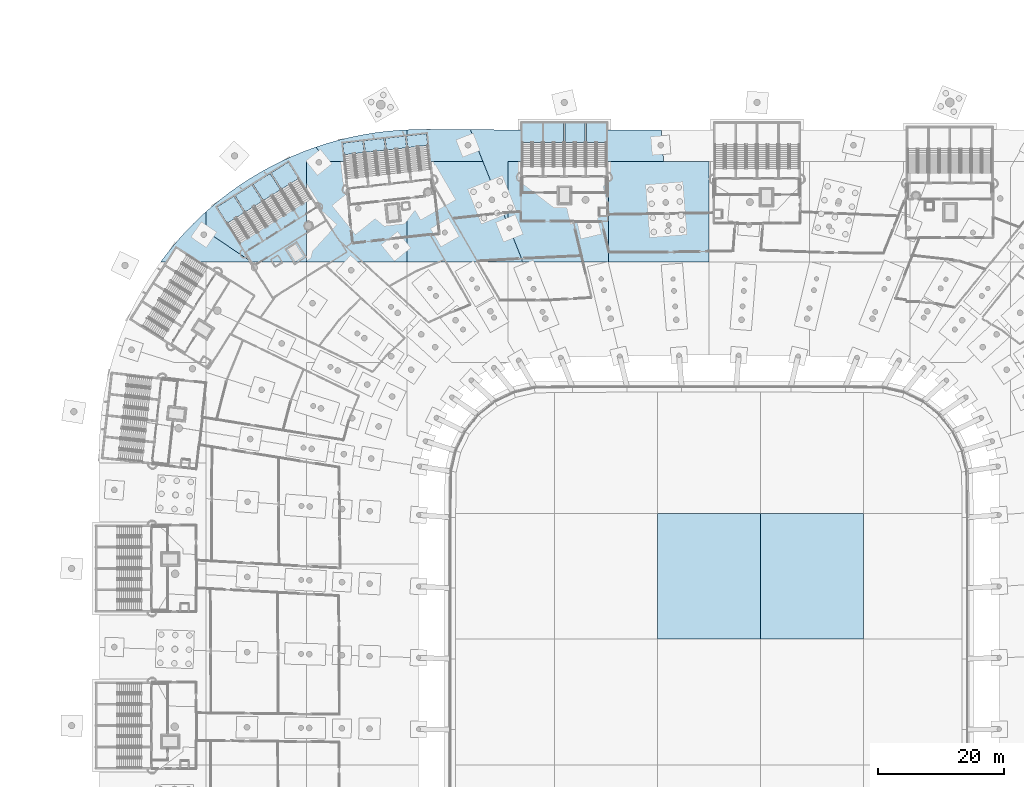
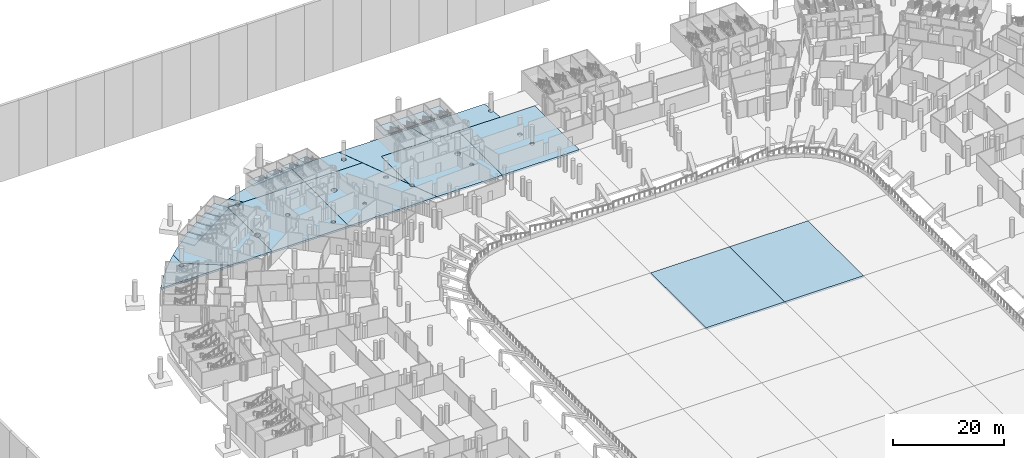
# One storey, part 29 of 142: 24 slabs, 12 elements without a shape of their own.
"""IFC4 building model written with IfcOpenShell, lengths in metres."""

from ifc_helpers import new_model, si_unit, direction, frame, origin, place, context, subcontext, project, spatial, polyline, outline, extrude, material, layer, layer_set, type_object, element, aggregate, save


model = new_model("IFC4")

# Units and contexts
model_context = context("Model", 3, precision=1e-05, world=origin(), true_north=direction((0.0, 1.0)))
body_context = subcontext(model_context, "Body", "Model", "MODEL_VIEW")
ifc_project = project(units=[si_unit("LENGTHUNIT", "METRE"), si_unit("AREAUNIT", "SQUARE_METRE"), si_unit("VOLUMEUNIT", "CUBIC_METRE"), si_unit("PLANEANGLEUNIT", "RADIAN"), si_unit("MASSUNIT", "GRAM", prefix="KILO")], contexts=[model_context])

# Site, building, storey
site_placement = place(None, origin())
site = spatial("IfcSite", under=ifc_project, at=site_placement, CompositionType="ELEMENT")
building_placement = place(site_placement, origin())
building = spatial("IfcBuilding", under=site, at=building_placement, Name="Meseta Stadium", CompositionType="ELEMENT")
storey_placement = place(building_placement, frame((0.0, 0.0, -4.0)))
storey = spatial("IfcBuildingStorey", under=building, at=storey_placement, Name="B1", CompositionType="ELEMENT", Elevation=-4.0)

# Slabs
ifc_material_1 = material(Name="Concrete C30/37", Category="concrete")
ifc_layer_1 = layer(ifc_material_1, 0.39990234375)
ifc_layer_set_1 = layer_set([ifc_layer_1], Name="Base slab 400")
slab_type_1 = type_object("IfcSlabType", Name="Base slab 400", PredefinedType="BASESLAB", material=ifc_layer_set_1)
slab_1_placement = place(storey_placement, frame((0.0, 0.0, -0.39990234375)))
element("IfcSlab", 1, at=slab_1_placement, inside=storey, type_object=slab_type_1, Name="Base slab B1 sector 14 panel 01", PredefinedType="BASESLAB", context=body_context, shape_type="SweptSolid", body=[
    extrude(outline(polyline([(-32.0, 101.0517578125), (-37.95361328125, 101.070556640625), (-32.0, 86.06689453125), (-32.0, 96.0), (-21.5712890625, 96.0), (-22.768310546875, 101.027099609375), (-32.0, 101.0517578125)])), origin(), (0.0, 0.0, 1.0), 0.39990234375),
])
slab_2_placement = place(storey_placement, frame((0.0, 0.0, -0.39990234375)))
element("IfcSlab", 2, at=slab_2_placement, inside=storey, type_object=slab_type_1, Name="Base slab B1 sector 14 panel 02", PredefinedType="BASESLAB", context=body_context, shape_type="SweptSolid", body=[
    extrude(outline(polyline([(-31.402587890625, 85.153564453125), (-31.45263671875, 85.092529296875), (-31.513427734375, 85.04248046875), (-31.57958984375, 85.00732421875), (-29.59228515625, 80.0), (-16.0, 80.0), (-16.0, 96.0), (-32.0, 96.0), (-32.0, 86.06689453125), (-31.875244140625, 85.752685546875), (-31.815185546875, 85.77099609375), (-31.73681640625, 85.77880859375), (-31.658447265625, 85.77099609375), (-31.5830078125, 85.748291015625), (-31.513427734375, 85.7109375), (-31.45263671875, 85.660888671875), (-31.402587890625, 85.60009765625), (-31.365478515625, 85.530517578125), (-31.342529296875, 85.455078125), (-31.3349609375, 85.376708984375), (-31.342529296875, 85.29833984375), (-31.365478515625, 85.222900390625), (-31.402587890625, 85.153564453125)]), holes=[polyline([(-20.18017578125, 89.90380859375), (-20.16943359375, 90.01171875), (-20.13818359375, 90.115234375), (-20.0869140625, 90.210693359375), (-20.018310546875, 90.29443359375), (-19.9345703125, 90.36328125), (-19.839111328125, 90.414306640625), (-19.7353515625, 90.44580078125), (-19.62744140625, 90.456298828125), (-19.519775390625, 90.44580078125), (-19.416015625, 90.414306640625), (-19.320556640625, 90.36328125), (-19.23681640625, 90.29443359375), (-19.16796875, 90.210693359375), (-19.116943359375, 90.115234375), (-19.08544921875, 90.01171875), (-19.07470703125, 89.90380859375), (-19.08544921875, 89.7958984375), (-19.116943359375, 89.692138671875), (-19.16796875, 89.5966796875), (-19.23681640625, 89.512939453125), (-19.320556640625, 89.444091796875), (-19.416015625, 89.393310546875), (-19.519775390625, 89.36181640625), (-19.62744140625, 89.35107421875), (-19.7353515625, 89.36181640625), (-19.839111328125, 89.393310546875), (-19.9345703125, 89.444091796875), (-20.018310546875, 89.512939453125), (-20.0869140625, 89.5966796875), (-20.13818359375, 89.692138671875), (-20.16943359375, 89.7958984375), (-20.18017578125, 89.90380859375)]), polyline([(-19.341796875, 86.032470703125), (-19.2724609375, 86.069580078125), (-19.197021484375, 86.09228515625), (-19.11865234375, 86.10009765625), (-19.040283203125, 86.09228515625), (-18.96484375, 86.069580078125), (-18.895263671875, 86.032470703125), (-18.83447265625, 85.982421875), (-18.784423828125, 85.92138671875), (-18.747314453125, 85.85205078125), (-18.724365234375, 85.776611328125), (-18.716796875, 85.6982421875), (-18.724365234375, 85.619873046875), (-18.747314453125, 85.54443359375), (-18.784423828125, 85.474853515625), (-18.83447265625, 85.4140625), (-18.895263671875, 85.364013671875), (-18.96484375, 85.326904296875), (-19.040283203125, 85.303955078125), (-19.11865234375, 85.29638671875), (-19.197021484375, 85.303955078125), (-19.2724609375, 85.326904296875), (-19.341796875, 85.364013671875), (-19.40283203125, 85.4140625), (-19.452880859375, 85.474853515625), (-19.489990234375, 85.54443359375), (-19.5126953125, 85.619873046875), (-19.5205078125, 85.6982421875), (-19.5126953125, 85.776611328125), (-19.489990234375, 85.85205078125), (-19.452880859375, 85.92138671875), (-19.40283203125, 85.982421875), (-19.341796875, 86.032470703125)])]), origin(), (0.0, 0.0, 1.0), 0.39990234375),
])
slab_3_placement = place(storey_placement, frame((0.0, 0.0, -0.39990234375)))
element("IfcSlab", 3, at=slab_3_placement, inside=storey, type_object=slab_type_1, Name="Base slab B1 sector 14 panel 04", PredefinedType="BASESLAB", context=body_context, shape_type="SweptSolid", body=[
    extrude(outline(polyline([(-22.768310546875, 101.027099609375), (-21.5712890625, 96.0), (-7.1904296875, 96.0), (-7.3701171875, 98.261474609375), (-7.41552734375, 98.22412109375), (-7.49365234375, 98.18212890625), (-7.57861328125, 98.156494140625), (-7.666748046875, 98.147705078125), (-7.7548828125, 98.156494140625), (-7.839599609375, 98.18212890625), (-7.91796875, 98.22412109375), (-7.986328125, 98.2802734375), (-8.04248046875, 98.348876953125), (-8.08447265625, 98.427001953125), (-8.110107421875, 98.51171875), (-8.118896484375, 98.60009765625), (-8.110107421875, 98.688232421875), (-8.08447265625, 98.77294921875), (-8.04248046875, 98.851318359375), (-7.986328125, 98.919677734375), (-7.91796875, 98.97607421875), (-7.839599609375, 99.017822265625), (-7.7548828125, 99.04345703125), (-7.666748046875, 99.05224609375), (-7.57861328125, 99.04345703125), (-7.49365234375, 99.017822265625), (-7.42724609375, 98.982177734375), (-7.58740234375, 101.003173828125), (-16.0, 101.013916015625), (-22.768310546875, 101.027099609375)])), origin(), (0.0, 0.0, 1.0), 0.39990234375),
])
slab_4_placement = place(storey_placement, frame((0.0, 0.0, -0.39990234375)))
element("IfcSlab", 4, at=slab_4_placement, inside=storey, type_object=slab_type_1, Name="Base slab B1 sector 14 panel 05", PredefinedType="BASESLAB", context=body_context, shape_type="SweptSolid", body=[
    extrude(outline(polyline([(-16.0, 96.0), (-16.0, 80.0), (0.0, 80.0), (0.0, 96.0), (-16.0, 96.0)]), holes=[polyline([(-6.67138671875, 86.160888671875), (-6.6103515625, 86.2109375), (-6.541015625, 86.248046875), (-6.465576171875, 86.27099609375), (-6.386962890625, 86.27880859375), (-6.30859375, 86.27099609375), (-6.233154296875, 86.248046875), (-6.163818359375, 86.2109375), (-6.102783203125, 86.160888671875), (-6.052734375, 86.10009765625), (-6.015625, 86.030517578125), (-5.992919921875, 85.955078125), (-5.985107421875, 85.876708984375), (-5.992919921875, 85.79833984375), (-6.015625, 85.722900390625), (-6.052734375, 85.6533203125), (-6.102783203125, 85.592529296875), (-6.163818359375, 85.54248046875), (-6.233154296875, 85.50537109375), (-6.30859375, 85.482421875), (-6.386962890625, 85.474853515625), (-6.465576171875, 85.482421875), (-6.541015625, 85.50537109375), (-6.6103515625, 85.54248046875), (-6.67138671875, 85.592529296875), (-6.72119140625, 85.6533203125), (-6.75830078125, 85.722900390625), (-6.78125, 85.79833984375), (-6.7890625, 85.876708984375), (-6.78125, 85.955078125), (-6.75830078125, 86.030517578125), (-6.72119140625, 86.10009765625), (-6.67138671875, 86.160888671875)]), polyline([(-6.87060546875, 89.969970703125), (-6.782470703125, 89.961181640625), (-6.69775390625, 89.935546875), (-6.619384765625, 89.893798828125), (-6.551025390625, 89.837646484375), (-6.494873046875, 89.76904296875), (-6.452880859375, 89.69091796875), (-6.42724609375, 89.606201171875), (-6.418701171875, 89.517822265625), (-6.42724609375, 89.4296875), (-6.452880859375, 89.3447265625), (-6.494873046875, 89.2666015625), (-6.551025390625, 89.197998046875), (-6.619384765625, 89.141845703125), (-6.69775390625, 89.10009765625), (-6.782470703125, 89.074462890625), (-6.87060546875, 89.065673828125), (-6.958984375, 89.074462890625), (-7.043701171875, 89.10009765625), (-7.121826171875, 89.141845703125), (-7.1904296875, 89.197998046875), (-7.24658203125, 89.2666015625), (-7.28857421875, 89.3447265625), (-7.314208984375, 89.4296875), (-7.322998046875, 89.517822265625), (-7.314208984375, 89.606201171875), (-7.28857421875, 89.69091796875), (-7.24658203125, 89.76904296875), (-7.1904296875, 89.837646484375), (-7.121826171875, 89.893798828125), (-7.043701171875, 89.935546875), (-6.958984375, 89.961181640625), (-6.87060546875, 89.969970703125)])]), origin(), (0.0, 0.0, 1.0), 0.39990234375),
])
slab_5_placement = place(storey_placement, frame((0.0, 0.0, -0.39990234375)))
element("IfcSlab", 5, at=slab_5_placement, inside=storey, type_object=slab_type_1, Name="Base slab B1 sector 21 panel 03", PredefinedType="BASESLAB", context=body_context, shape_type="SweptSolid", body=[
    extrude(outline(polyline([(-80.55419921875, 87.5390625), (-81.940673828125, 86.2099609375), (-83.276611328125, 84.829833984375), (-84.5595703125, 83.400390625), (-85.787841796875, 81.923828125), (-86.9599609375, 80.402099609375), (-87.246337890625, 80.0), (-72.741455078125, 80.0), (-80.0, 84.89990234375), (-80.0, 88.031494140625), (-80.55419921875, 87.5390625)]), holes=[polyline([(-80.1142578125, 84.741455078125), (-80.045654296875, 84.68505859375), (-79.989501953125, 84.61669921875), (-79.947509765625, 84.538330078125), (-79.921875, 84.45361328125), (-79.9130859375, 84.365478515625), (-79.921875, 84.277099609375), (-79.947509765625, 84.1923828125), (-79.989501953125, 84.1142578125), (-80.045654296875, 84.045654296875), (-80.1142578125, 83.989501953125), (-80.1923828125, 83.947509765625), (-80.277099609375, 83.921875), (-80.365478515625, 83.9130859375), (-80.45361328125, 83.921875), (-80.538330078125, 83.947509765625), (-80.61669921875, 83.989501953125), (-80.68505859375, 84.045654296875), (-80.741455078125, 84.1142578125), (-80.783203125, 84.1923828125), (-80.808837890625, 84.277099609375), (-80.817626953125, 84.365478515625), (-80.808837890625, 84.45361328125), (-80.783203125, 84.538330078125), (-80.741455078125, 84.61669921875), (-80.68505859375, 84.68505859375), (-80.61669921875, 84.741455078125), (-80.538330078125, 84.783203125), (-80.45361328125, 84.808837890625), (-80.365478515625, 84.817626953125), (-80.277099609375, 84.808837890625), (-80.1923828125, 84.783203125), (-80.1142578125, 84.741455078125)])]), origin(), (0.0, 0.0, 1.0), 0.39990234375),
])
slab_6_placement = place(storey_placement, frame((0.0, 0.0, -0.39990234375)))
element("IfcSlab", 6, at=slab_6_placement, inside=storey, type_object=slab_type_1, Name="Base slab B1 sector 21 panel 07", PredefinedType="BASESLAB", context=body_context, shape_type="SweptSolid", body=[
    extrude(outline(polyline([(-67.876953125, 96.121826171875), (-69.594970703125, 95.262939453125), (-71.279296875, 94.340087890625), (-72.927978515625, 93.3544921875), (-74.53857421875, 92.3076171875), (-76.108642578125, 91.201171875), (-77.635986328125, 90.036376953125), (-79.118408203125, 88.815185546875), (-80.0, 88.031494140625), (-80.0, 84.89990234375), (-72.741455078125, 80.0), (-64.0, 80.0), (-64.0, 85.234130859375), (-64.066162109375, 85.26953125), (-64.157470703125, 85.344482421875), (-64.232421875, 85.43603515625), (-64.2880859375, 85.540283203125), (-64.322509765625, 85.6533203125), (-64.333984375, 85.77099609375), (-64.322509765625, 85.888427734375), (-64.2880859375, 86.001708984375), (-64.232421875, 86.10595703125), (-64.157470703125, 86.197265625), (-64.066162109375, 86.272216796875), (-64.0, 86.3076171875), (-64.0, 96.0), (-62.483154296875, 96.0), (-62.46923828125, 96.0458984375), (-62.427490234375, 96.123779296875), (-62.371337890625, 96.1923828125), (-62.302734375, 96.248779296875), (-62.224609375, 96.29052734375), (-62.139892578125, 96.316162109375), (-62.051513671875, 96.324951171875), (-61.96337890625, 96.316162109375), (-61.87841796875, 96.29052734375), (-61.80029296875, 96.248779296875), (-61.731689453125, 96.1923828125), (-61.675537109375, 96.123779296875), (-61.6337890625, 96.0458984375), (-61.619873046875, 96.0), (-60.687255859375, 96.0), (-62.54638671875, 98.3037109375), (-64.35009765625, 97.643310546875), (-66.127685546875, 96.915771484375), (-67.876953125, 96.121826171875)])), origin(), (0.0, 0.0, 1.0), 0.39990234375),
])
slab_7_placement = place(storey_placement, frame((0.0, 0.0, -0.39990234375)))
element("IfcSlab", 7, at=slab_7_placement, inside=storey, type_object=slab_type_1, Name="Base slab B1 sector 21 panel 08", PredefinedType="BASESLAB", context=body_context, shape_type="SweptSolid", body=[
    extrude(outline(polyline([(-63.613525390625, 85.1796875), (-63.731201171875, 85.16796875), (-63.848876953125, 85.1796875), (-63.9619140625, 85.2138671875), (-64.0, 85.234130859375), (-64.0, 80.0), (-48.0, 80.0), (-48.0, 96.0), (-61.619873046875, 96.0), (-61.608154296875, 95.9609375), (-61.599365234375, 95.872802734375), (-61.608154296875, 95.784423828125), (-61.6337890625, 95.69970703125), (-61.675537109375, 95.62158203125), (-61.731689453125, 95.552978515625), (-61.80029296875, 95.496826171875), (-61.87841796875, 95.455078125), (-61.96337890625, 95.42919921875), (-62.051513671875, 95.420654296875), (-62.139892578125, 95.42919921875), (-62.224609375, 95.455078125), (-62.302734375, 95.496826171875), (-62.371337890625, 95.552978515625), (-62.427490234375, 95.62158203125), (-62.46923828125, 95.69970703125), (-62.4951171875, 95.784423828125), (-62.503662109375, 95.872802734375), (-62.4951171875, 95.9609375), (-62.483154296875, 96.0), (-64.0, 96.0), (-64.0, 86.3076171875), (-63.9619140625, 86.327880859375), (-63.848876953125, 86.3623046875), (-63.731201171875, 86.373779296875), (-63.613525390625, 86.3623046875), (-63.50048828125, 86.327880859375), (-63.396240234375, 86.272216796875), (-63.304931640625, 86.197265625), (-63.22998046875, 86.10595703125), (-63.17431640625, 86.001708984375), (-63.139892578125, 85.888427734375), (-63.12841796875, 85.77099609375), (-63.139892578125, 85.6533203125), (-63.17431640625, 85.540283203125), (-63.22998046875, 85.43603515625), (-63.304931640625, 85.344482421875), (-63.396240234375, 85.26953125), (-63.50048828125, 85.2138671875), (-63.613525390625, 85.1796875)]), holes=[polyline([(-50.185302734375, 82.5771484375), (-50.16259765625, 82.652587890625), (-50.125244140625, 82.72216796875), (-50.0751953125, 82.782958984375), (-50.014404296875, 82.8330078125), (-49.945068359375, 82.8701171875), (-49.86962890625, 82.89306640625), (-49.791015625, 82.900634765625), (-49.712646484375, 82.89306640625), (-49.63720703125, 82.8701171875), (-49.56787109375, 82.8330078125), (-49.5068359375, 82.782958984375), (-49.456787109375, 82.72216796875), (-49.419921875, 82.652587890625), (-49.39697265625, 82.5771484375), (-49.38916015625, 82.498779296875), (-49.39697265625, 82.42041015625), (-49.419921875, 82.344970703125), (-49.456787109375, 82.275390625), (-49.5068359375, 82.214599609375), (-49.56787109375, 82.16455078125), (-49.63720703125, 82.12744140625), (-49.712646484375, 82.1044921875), (-49.791015625, 82.096923828125), (-49.86962890625, 82.1044921875), (-49.945068359375, 82.12744140625), (-50.014404296875, 82.16455078125), (-50.0751953125, 82.214599609375), (-50.125244140625, 82.275390625), (-50.16259765625, 82.344970703125), (-50.185302734375, 82.42041015625), (-50.193115234375, 82.498779296875), (-50.185302734375, 82.5771484375)]), polyline([(-55.347412109375, 88.541748046875), (-55.35595703125, 88.45361328125), (-55.381591796875, 88.36865234375), (-55.423583984375, 88.29052734375), (-55.479736328125, 88.221923828125), (-55.54833984375, 88.165771484375), (-55.62646484375, 88.1240234375), (-55.711181640625, 88.098388671875), (-55.799560546875, 88.089599609375), (-55.8876953125, 88.098388671875), (-55.972412109375, 88.1240234375), (-56.05078125, 88.165771484375), (-56.119140625, 88.221923828125), (-56.175537109375, 88.29052734375), (-56.21728515625, 88.36865234375), (-56.242919921875, 88.45361328125), (-56.251708984375, 88.541748046875), (-56.242919921875, 88.6298828125), (-56.21728515625, 88.71484375), (-56.175537109375, 88.79296875), (-56.119140625, 88.861572265625), (-56.05078125, 88.917724609375), (-55.972412109375, 88.95947265625), (-55.8876953125, 88.985107421875), (-55.799560546875, 88.993896484375), (-55.711181640625, 88.985107421875), (-55.62646484375, 88.95947265625), (-55.54833984375, 88.917724609375), (-55.479736328125, 88.861572265625), (-55.423583984375, 88.79296875), (-55.381591796875, 88.71484375), (-55.35595703125, 88.6298828125), (-55.347412109375, 88.541748046875)])]), origin(), (0.0, 0.0, 1.0), 0.39990234375),
])
slab_8_placement = place(storey_placement, frame((0.0, 0.0, -0.39990234375)))
element("IfcSlab", 8, at=slab_8_placement, inside=storey, type_object=slab_type_1, Name="Base slab B1 sector 21 panel 11", PredefinedType="BASESLAB", context=body_context, shape_type="SweptSolid", body=[
    extrude(outline(polyline([(-55.122314453125, 100.2548828125), (-57.004638671875, 99.872314453125), (-58.87109375, 99.4189453125), (-60.71923828125, 98.89599609375), (-62.54638671875, 98.3037109375), (-60.687255859375, 96.0), (-48.0, 96.0), (-48.0, 101.046875), (-49.408447265625, 100.975830078125), (-51.32177734375, 100.807373046875), (-53.227294921875, 100.56689453125), (-55.122314453125, 100.2548828125)])), origin(), (0.0, 0.0, 1.0), 0.39990234375),
])
slab_9_placement = place(storey_placement, frame((0.0, 0.0, -0.39990234375)))
element("IfcSlab", 9, at=slab_9_placement, inside=storey, type_object=slab_type_1, Name="Base slab B1 sector 21 panel 13", PredefinedType="BASESLAB", context=body_context, shape_type="SweptSolid", body=[
    extrude(outline(polyline([(-45.570068359375, 101.09716796875), (-47.490478515625, 101.072509765625), (-48.0, 101.046875), (-48.0, 96.0), (-35.963134765625, 96.0), (-37.975341796875, 101.070556640625), (-45.570068359375, 101.09716796875)]), holes=[polyline([(-38.160400390625, 98.18212890625), (-38.2451171875, 98.156494140625), (-38.333251953125, 98.147705078125), (-38.42138671875, 98.156494140625), (-38.50634765625, 98.18212890625), (-38.58447265625, 98.22412109375), (-38.653076171875, 98.2802734375), (-38.709228515625, 98.348876953125), (-38.751220703125, 98.427001953125), (-38.77685546875, 98.51171875), (-38.785400390625, 98.60009765625), (-38.77685546875, 98.688232421875), (-38.751220703125, 98.77294921875), (-38.709228515625, 98.851318359375), (-38.653076171875, 98.919677734375), (-38.58447265625, 98.97607421875), (-38.50634765625, 99.017822265625), (-38.42138671875, 99.04345703125), (-38.333251953125, 99.05224609375), (-38.2451171875, 99.04345703125), (-38.160400390625, 99.017822265625), (-38.08203125, 98.97607421875), (-38.013671875, 98.919677734375), (-37.95751953125, 98.851318359375), (-37.91552734375, 98.77294921875), (-37.889892578125, 98.688232421875), (-37.881103515625, 98.60009765625), (-37.889892578125, 98.51171875), (-37.91552734375, 98.427001953125), (-37.95751953125, 98.348876953125), (-38.013671875, 98.2802734375), (-38.08203125, 98.22412109375), (-38.160400390625, 98.18212890625)])]), origin(), (0.0, 0.0, 1.0), 0.39990234375),
])
slab_10_placement = place(storey_placement, frame((0.0, 0.0, -0.39990234375)))
element("IfcSlab", 10, at=slab_10_placement, inside=storey, type_object=slab_type_1, Name="Base slab B1 sector 21 panel 14", PredefinedType="BASESLAB", context=body_context, shape_type="SweptSolid", body=[
    extrude(outline(polyline([(-32.02099609375, 85.660888671875), (-31.960205078125, 85.7109375), (-31.894287109375, 85.746337890625), (-35.963134765625, 96.0), (-48.0, 96.0), (-48.0, 80.0), (-29.614013671875, 80.0), (-31.598388671875, 85.000732421875), (-31.658447265625, 84.982666015625), (-31.73681640625, 84.974853515625), (-31.815185546875, 84.982666015625), (-31.890625, 85.005615234375), (-31.960205078125, 85.04248046875), (-32.02099609375, 85.092529296875), (-32.071044921875, 85.153564453125), (-32.108154296875, 85.222900390625), (-32.131103515625, 85.29833984375), (-32.138916015625, 85.376708984375), (-32.131103515625, 85.455078125), (-32.108154296875, 85.530517578125), (-32.071044921875, 85.60009765625), (-32.02099609375, 85.660888671875)]), holes=[polyline([(-42.41748046875, 84.707275390625), (-42.40966796875, 84.785888671875), (-42.386962890625, 84.861083984375), (-42.349609375, 84.9306640625), (-42.2998046875, 84.99169921875), (-42.23876953125, 85.04150390625), (-42.169189453125, 85.07861328125), (-42.093994140625, 85.1015625), (-42.015380859375, 85.109375), (-41.93701171875, 85.1015625), (-41.86181640625, 85.07861328125), (-41.792236328125, 85.04150390625), (-41.731201171875, 84.99169921875), (-41.681396484375, 84.9306640625), (-41.644287109375, 84.861083984375), (-41.621337890625, 84.785888671875), (-41.613525390625, 84.707275390625), (-41.621337890625, 84.62890625), (-41.644287109375, 84.553466796875), (-41.681396484375, 84.48388671875), (-41.731201171875, 84.423095703125), (-41.792236328125, 84.373046875), (-41.86181640625, 84.3359375), (-41.93701171875, 84.31298828125), (-42.015380859375, 84.305419921875), (-42.093994140625, 84.31298828125), (-42.169189453125, 84.3359375), (-42.23876953125, 84.373046875), (-42.2998046875, 84.423095703125), (-42.349609375, 84.48388671875), (-42.386962890625, 84.553466796875), (-42.40966796875, 84.62890625), (-42.41748046875, 84.707275390625)]), polyline([(-34.087158203125, 90.0), (-34.07861328125, 89.911865234375), (-34.087158203125, 89.82373046875), (-34.11279296875, 89.73876953125), (-34.15478515625, 89.66064453125), (-34.2109375, 89.59228515625), (-34.279541015625, 89.535888671875), (-34.357666015625, 89.494140625), (-34.4423828125, 89.468505859375), (-34.53076171875, 89.459716796875), (-34.618896484375, 89.468505859375), (-34.70361328125, 89.494140625), (-34.781982421875, 89.535888671875), (-34.850341796875, 89.59228515625), (-34.90673828125, 89.66064453125), (-34.948486328125, 89.73876953125), (-34.97412109375, 89.82373046875), (-34.98291015625, 89.911865234375), (-34.97412109375, 90.0), (-34.948486328125, 90.0849609375), (-34.90673828125, 90.1630859375), (-34.850341796875, 90.231689453125), (-34.781982421875, 90.287841796875), (-34.70361328125, 90.32958984375), (-34.618896484375, 90.35546875), (-34.53076171875, 90.364013671875), (-34.4423828125, 90.35546875), (-34.357666015625, 90.32958984375), (-34.279541015625, 90.287841796875), (-34.2109375, 90.231689453125), (-34.15478515625, 90.1630859375), (-34.11279296875, 90.0849609375), (-34.087158203125, 90.0)]), polyline([(-44.1298828125, 91.0908203125), (-44.140380859375, 90.983154296875), (-44.171875, 90.87939453125), (-44.222900390625, 90.78369140625), (-44.291748046875, 90.7001953125), (-44.37548828125, 90.63134765625), (-44.470947265625, 90.580322265625), (-44.57470703125, 90.548828125), (-44.6826171875, 90.5380859375), (-44.790283203125, 90.548828125), (-44.89404296875, 90.580322265625), (-44.989501953125, 90.63134765625), (-45.0732421875, 90.7001953125), (-45.14208984375, 90.78369140625), (-45.193115234375, 90.87939453125), (-45.224609375, 90.983154296875), (-45.235107421875, 91.0908203125), (-45.224609375, 91.19873046875), (-45.193115234375, 91.302490234375), (-45.14208984375, 91.39794921875), (-45.0732421875, 91.481689453125), (-44.989501953125, 91.55029296875), (-44.89404296875, 91.6015625), (-44.790283203125, 91.6328125), (-44.6826171875, 91.6435546875), (-44.57470703125, 91.6328125), (-44.470947265625, 91.6015625), (-44.37548828125, 91.55029296875), (-44.291748046875, 91.481689453125), (-44.222900390625, 91.39794921875), (-44.171875, 91.302490234375), (-44.140380859375, 91.19873046875), (-44.1298828125, 91.0908203125)])]), origin(), (0.0, 0.0, 1.0), 0.39990234375),
])
ifc_material_2 = material(Name="Natural turf on sand and drainage layers")
ifc_layer_2 = layer(ifc_material_2, 0.39990234375)
ifc_layer_set_2 = layer_set([ifc_layer_2], Name="Pitch turf 400")
slab_type_2 = type_object("IfcSlabType", Name="Pitch turf 400", PredefinedType="BASESLAB", material=ifc_layer_set_2)
slab_11_placement = place(storey_placement, frame((0.0, 0.0, -0.39990234375)))
element("IfcSlab", 11, at=slab_11_placement, inside=storey, type_object=slab_type_2, Name="Playing pitch module 23", PredefinedType="BASESLAB", context=body_context, shape_type="SweptSolid", body=[
    extrude(outline(polyline([(8.196044921875, 19.993408203125), (8.196044921875, 39.98681640625), (-8.196044921875, 39.98681640625), (-8.196044921875, 19.993408203125), (8.196044921875, 19.993408203125)])), origin(), (0.0, 0.0, 1.0), 0.39990234375),
])
slab_12_placement = place(storey_placement, frame((0.0, 0.0, -0.39990234375)))
element("IfcSlab", 12, at=slab_12_placement, inside=storey, type_object=slab_type_2, Name="Playing pitch module 24", PredefinedType="BASESLAB", context=body_context, shape_type="SweptSolid", body=[
    extrude(outline(polyline([(24.587890625, 19.993408203125), (24.587890625, 39.98681640625), (8.196044921875, 39.98681640625), (8.196044921875, 19.993408203125), (24.587890625, 19.993408203125)])), origin(), (0.0, 0.0, 1.0), 0.39990234375),
])

# Stair, slab
ifc_material_3 = material(Name="Concrete C40/50", Category="concrete")
stair_type = type_object("IfcStairType", Name="Exit stair 2 flights 154 mm risers", PredefinedType="HALF_TURN_STAIR", material=ifc_material_3)
stair_1_placement = place(storey_placement, origin())
stair_1 = element("IfcStair", 13, at=stair_1_placement, inside=storey, type_object=stair_type, Name="ST41 B1", PredefinedType="HALF_TURN_STAIR")
ifc_material_4 = material(Name="Concrete C40/50", Category="concrete")
ifc_layer_3 = layer(ifc_material_4, 0.199951171875)
ifc_layer_set_3 = layer_set([ifc_layer_3], Name="Stair landing 200")
slab_type_3 = type_object("IfcSlabType", Name="Stair landing 200", PredefinedType="LANDING", material=ifc_layer_set_3)
slab_13_placement = place(storey_placement, frame((0.0, 0.0, 1.800048828125)))
slab_13 = element("IfcSlab", 14, at=slab_13_placement, type_object=slab_type_3, Name="ST41 B1 landing 1", PredefinedType="LANDING", context=body_context, shape_type="SweptSolid", body=[
    extrude(outline(polyline([(-16.300048828125, 99.030029296875), (-16.300048828125, 102.10009765625), (-19.5, 102.10009765625), (-19.5, 99.030029296875), (-16.300048828125, 99.030029296875)])), origin(), (0.0, 0.0, 1.0), 0.199951171875),
])
aggregate(stair_1, [slab_13])

stair_2_placement = place(storey_placement, origin())
stair_2 = element("IfcStair", 15, at=stair_2_placement, inside=storey, type_object=stair_type, Name="ST42 B1", PredefinedType="HALF_TURN_STAIR")
slab_14_placement = place(storey_placement, frame((0.0, 0.0, 1.800048828125)))
slab_14 = element("IfcSlab", 16, at=slab_14_placement, type_object=slab_type_3, Name="ST42 B1 landing 1", PredefinedType="LANDING", context=body_context, shape_type="SweptSolid", body=[
    extrude(outline(polyline([(-19.699951171875, 99.030029296875), (-19.699951171875, 102.10009765625), (-22.89990234375, 102.10009765625), (-22.89990234375, 99.030029296875), (-19.699951171875, 99.030029296875)])), origin(), (0.0, 0.0, 1.0), 0.199951171875),
])
aggregate(stair_2, [slab_14])

stair_3_placement = place(storey_placement, origin())
stair_3 = element("IfcStair", 17, at=stair_3_placement, inside=storey, type_object=stair_type, Name="ST43 B1", PredefinedType="HALF_TURN_STAIR")
slab_15_placement = place(storey_placement, frame((0.0, 0.0, 1.800048828125)))
slab_15 = element("IfcSlab", 18, at=slab_15_placement, type_object=slab_type_3, Name="ST43 B1 landing 1", PredefinedType="LANDING", context=body_context, shape_type="SweptSolid", body=[
    extrude(outline(polyline([(-23.10009765625, 99.030029296875), (-23.10009765625, 102.10009765625), (-26.300048828125, 102.10009765625), (-26.300048828125, 99.030029296875), (-23.10009765625, 99.030029296875)])), origin(), (0.0, 0.0, 1.0), 0.199951171875),
])
aggregate(stair_3, [slab_15])

stair_4_placement = place(storey_placement, origin())
stair_4 = element("IfcStair", 19, at=stair_4_placement, inside=storey, type_object=stair_type, Name="ST44 B1", PredefinedType="HALF_TURN_STAIR")
slab_16_placement = place(storey_placement, frame((0.0, 0.0, 1.800048828125)))
slab_16 = element("IfcSlab", 20, at=slab_16_placement, type_object=slab_type_3, Name="ST44 B1 landing 1", PredefinedType="LANDING", context=body_context, shape_type="SweptSolid", body=[
    extrude(outline(polyline([(-26.5, 99.030029296875), (-26.5, 102.10009765625), (-29.699951171875, 102.10009765625), (-29.699951171875, 99.030029296875), (-26.5, 99.030029296875)])), origin(), (0.0, 0.0, 1.0), 0.199951171875),
])
aggregate(stair_4, [slab_16])

stair_5_placement = place(storey_placement, origin())
stair_5 = element("IfcStair", 21, at=stair_5_placement, inside=storey, type_object=stair_type, Name="ST45 B1", PredefinedType="HALF_TURN_STAIR")
slab_17_placement = place(storey_placement, frame((0.0, 0.0, 1.800048828125)))
slab_17 = element("IfcSlab", 22, at=slab_17_placement, type_object=slab_type_3, Name="ST45 B1 landing 1", PredefinedType="LANDING", context=body_context, shape_type="SweptSolid", body=[
    extrude(outline(polyline([(-44.73095703125, 98.57763671875), (-44.9404296875, 100.435791015625), (-48.1201171875, 100.077392578125), (-47.910888671875, 98.21923828125), (-44.73095703125, 98.57763671875)])), origin(), (0.0, 0.0, 1.0), 0.199951171875),
])
aggregate(stair_5, [slab_17])

stair_6_placement = place(storey_placement, origin())
stair_6 = element("IfcStair", 23, at=stair_6_placement, inside=storey, type_object=stair_type, Name="ST46 B1", PredefinedType="HALF_TURN_STAIR")
slab_18_placement = place(storey_placement, frame((0.0, 0.0, 1.800048828125)))
slab_18 = element("IfcSlab", 24, at=slab_18_placement, type_object=slab_type_3, Name="ST46 B1 landing 1", PredefinedType="LANDING", context=body_context, shape_type="SweptSolid", body=[
    extrude(outline(polyline([(-48.109619140625, 98.19677734375), (-48.319091796875, 100.05517578125), (-51.498779296875, 99.69677734375), (-51.28955078125, 97.838623046875), (-48.109619140625, 98.19677734375)])), origin(), (0.0, 0.0, 1.0), 0.199951171875),
])
aggregate(stair_6, [slab_18])

stair_7_placement = place(storey_placement, origin())
stair_7 = element("IfcStair", 25, at=stair_7_placement, inside=storey, type_object=stair_type, Name="ST47 B1", PredefinedType="HALF_TURN_STAIR")
slab_19_placement = place(storey_placement, frame((0.0, 0.0, 1.800048828125)))
slab_19 = element("IfcSlab", 26, at=slab_19_placement, type_object=slab_type_3, Name="ST47 B1 landing 1", PredefinedType="LANDING", context=body_context, shape_type="SweptSolid", body=[
    extrude(outline(polyline([(-51.48828125, 97.816162109375), (-51.697509765625, 99.67431640625), (-54.87744140625, 99.316162109375), (-54.668212890625, 97.4580078125), (-51.48828125, 97.816162109375)])), origin(), (0.0, 0.0, 1.0), 0.199951171875),
])
aggregate(stair_7, [slab_19])

stair_8_placement = place(storey_placement, origin())
stair_8 = element("IfcStair", 27, at=stair_8_placement, inside=storey, type_object=stair_type, Name="ST48 B1", PredefinedType="HALF_TURN_STAIR")
slab_20_placement = place(storey_placement, frame((0.0, 0.0, 1.800048828125)))
slab_20 = element("IfcSlab", 28, at=slab_20_placement, type_object=slab_type_3, Name="ST48 B1 landing 1", PredefinedType="LANDING", context=body_context, shape_type="SweptSolid", body=[
    extrude(outline(polyline([(-54.866943359375, 97.435546875), (-55.076171875, 99.293701171875), (-58.256103515625, 98.935546875), (-58.046630859375, 97.0771484375), (-54.866943359375, 97.435546875)])), origin(), (0.0, 0.0, 1.0), 0.199951171875),
])
aggregate(stair_8, [slab_20])

stair_9_placement = place(storey_placement, origin())
stair_9 = element("IfcStair", 29, at=stair_9_placement, inside=storey, type_object=stair_type, Name="ST49 B1", PredefinedType="HALF_TURN_STAIR")
slab_21_placement = place(storey_placement, frame((0.0, 0.0, 1.800048828125)))
slab_21 = element("IfcSlab", 30, at=slab_21_placement, type_object=slab_type_3, Name="ST49 B1 landing 1", PredefinedType="LANDING", context=body_context, shape_type="SweptSolid", body=[
    extrude(outline(polyline([(-65.295166015625, 93.30126953125), (-66.928466796875, 95.90087890625), (-69.63818359375, 94.1982421875), (-68.004638671875, 91.598876953125), (-65.295166015625, 93.30126953125)])), origin(), (0.0, 0.0, 1.0), 0.199951171875),
])
aggregate(stair_9, [slab_21])

stair_10_placement = place(storey_placement, origin())
stair_10 = element("IfcStair", 31, at=stair_10_placement, inside=storey, type_object=stair_type, Name="ST50 B1", PredefinedType="HALF_TURN_STAIR")
slab_22_placement = place(storey_placement, frame((0.0, 0.0, 1.800048828125)))
slab_22 = element("IfcSlab", 32, at=slab_22_placement, type_object=slab_type_3, Name="ST50 B1 landing 1", PredefinedType="LANDING", context=body_context, shape_type="SweptSolid", body=[
    extrude(outline(polyline([(-68.174072265625, 91.492431640625), (-69.807373046875, 94.091796875), (-72.516845703125, 92.389404296875), (-70.883544921875, 89.7900390625), (-68.174072265625, 91.492431640625)])), origin(), (0.0, 0.0, 1.0), 0.199951171875),
])
aggregate(stair_10, [slab_22])

stair_11_placement = place(storey_placement, origin())
stair_11 = element("IfcStair", 33, at=stair_11_placement, inside=storey, type_object=stair_type, Name="ST51 B1", PredefinedType="HALF_TURN_STAIR")
slab_23_placement = place(storey_placement, frame((0.0, 0.0, 1.800048828125)))
slab_23 = element("IfcSlab", 34, at=slab_23_placement, type_object=slab_type_3, Name="ST51 B1 landing 1", PredefinedType="LANDING", context=body_context, shape_type="SweptSolid", body=[
    extrude(outline(polyline([(-71.052978515625, 89.68359375), (-72.686279296875, 92.282958984375), (-75.395751953125, 90.58056640625), (-73.762451171875, 87.98095703125), (-71.052978515625, 89.68359375)])), origin(), (0.0, 0.0, 1.0), 0.199951171875),
])
aggregate(stair_11, [slab_23])

stair_12_placement = place(storey_placement, origin())
stair_12 = element("IfcStair", 35, at=stair_12_placement, inside=storey, type_object=stair_type, Name="ST52 B1", PredefinedType="HALF_TURN_STAIR")
slab_24_placement = place(storey_placement, frame((0.0, 0.0, 1.800048828125)))
slab_24 = element("IfcSlab", 36, at=slab_24_placement, type_object=slab_type_3, Name="ST52 B1 landing 1", PredefinedType="LANDING", context=body_context, shape_type="SweptSolid", body=[
    extrude(outline(polyline([(-73.931884765625, 87.874755859375), (-75.565185546875, 90.47412109375), (-78.274658203125, 88.771484375), (-76.641357421875, 86.172119140625), (-73.931884765625, 87.874755859375)])), origin(), (0.0, 0.0, 1.0), 0.199951171875),
])
aggregate(stair_12, [slab_24])

save(model, "model.ifc")
